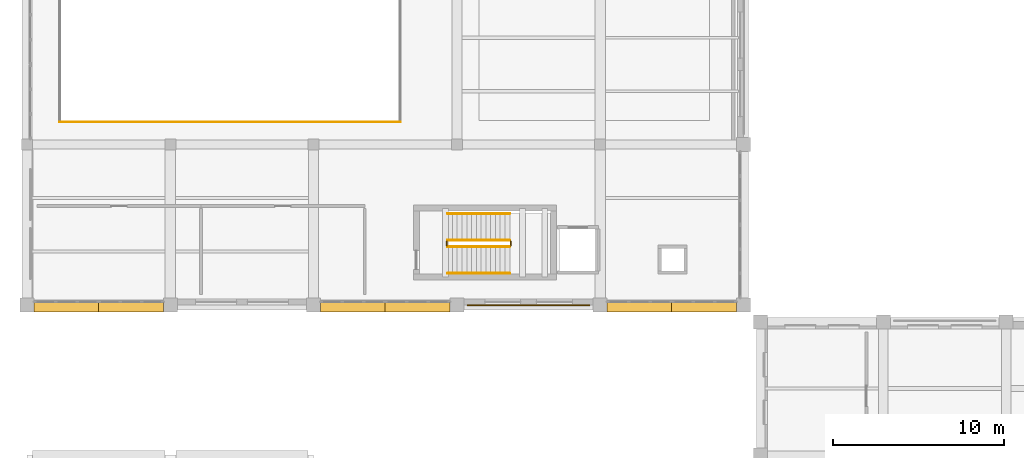
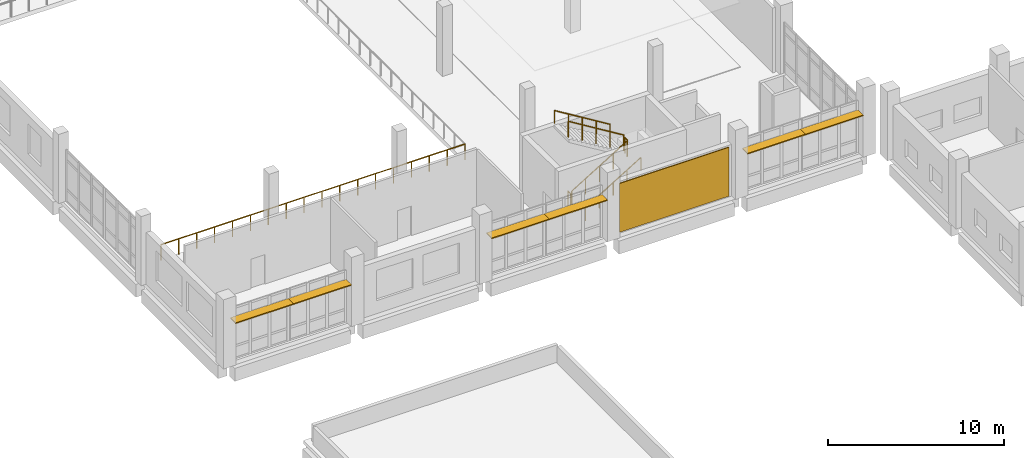
# One storey, part 69 of 73: 7 railings, 6 shading devices, 1 covering.
"""IFC4 building model written with IfcOpenShell, lengths in metres."""

import ifcopenshell
import ifcopenshell.guid

model = None  # the IFC model being written
_history = None  # IfcOwnerHistory: only IFC2X3 demands one
_inside = {}  # id of a spatial element -> (the spatial element, [elements in it])
_under = {}  # id of a project, library or spatial element -> (it, [spatial elements below it])
_declared = {}  # id of a project -> (the project, [libraries it declares])
_typed = {}  # id of a type object -> (the type object, [elements of that type])
_made_of = {}  # id of a material, layer set ... -> (it, [elements and type objects made of it])


def new_model(schema):
    """Start an empty IFC model of exactly this schema.

    Asked for "IFC4X3", IfcOpenShell would pick the latest addendum, in which some entities
    have other attributes; the version numbers below select the first issue.
    IFC2X3 requires an IfcOwnerHistory on every rooted entity: one is made here for all.
    """
    global model, _history
    if schema == "IFC4X3":
        model = ifcopenshell.file(schema_version=(4, 3, 0, 0))
    else:
        model = ifcopenshell.file(schema=schema)
    _inside.clear()
    _under.clear()
    _declared.clear()
    _typed.clear()
    _made_of.clear()
    _history = None
    if model.schema == "IFC2X3":
        org = make("IfcOrganization", Name="unknown")
        user = make(
            "IfcPersonAndOrganization",
            ThePerson=make("IfcPerson", FamilyName="unknown"),
            TheOrganization=org,
        )
        app = make(
            "IfcApplication",
            ApplicationDeveloper=org,
            Version="unknown",
            ApplicationFullName="unknown",
            ApplicationIdentifier="unknown",
        )
        _history = make(
            "IfcOwnerHistory",
            OwningUser=user,
            OwningApplication=app,
            ChangeAction="ADDED",
            CreationDate=0,
        )
    return model


def make(cls, **values):
    """One entity of the class cls with the attributes given. An attribute that is None is left unset."""
    return model.create_entity(
        cls, **{name: value for name, value in values.items() if value is not None}
    )


def rooted(cls, **values):
    """An entity with a GlobalId (a new one), such as an element, a storey or a relation."""
    return make(cls, GlobalId=ifcopenshell.guid.new(), OwnerHistory=_history, **values)


def si_unit(unit_type, name, prefix=None):
    """IfcSIUnit, for example si_unit("LENGTHUNIT", "METRE", prefix="MILLI")."""
    return make("IfcSIUnit", UnitType=unit_type, Prefix=prefix, Name=name)


def assignment(units):
    """IfcUnitAssignment: the units of a project."""
    return None if units is None else make("IfcUnitAssignment", Units=units)


def point(xyz):
    """IfcCartesianPoint."""
    return None if xyz is None else make("IfcCartesianPoint", Coordinates=xyz)


def direction(xyz):
    """IfcDirection."""
    return None if xyz is None else make("IfcDirection", DirectionRatios=xyz)


def frame(location, z_axis=None, x_axis=None):
    """IfcAxis2Placement3D, a coordinate frame: its origin and axes. An axis left out is left unset."""
    return make(
        "IfcAxis2Placement3D",
        Location=point(location),
        Axis=direction(z_axis),
        RefDirection=direction(x_axis),
    )


def frame_2d(location, x_axis=None):
    """IfcAxis2Placement2D, a coordinate frame in the plane: its origin and x axis."""
    return make(
        "IfcAxis2Placement2D", Location=point(location), RefDirection=direction(x_axis)
    )


def origin():
    """The frame at (0, 0, 0) with its axes left unset."""
    return frame((0.0, 0.0, 0.0))


def origin_2d():
    """The frame at (0, 0) in the plane with its x axis left unset."""
    return frame_2d((0.0, 0.0))


def place(relative_to, where):
    """IfcLocalPlacement: puts the frame where relative to a parent placement (None: the world)."""
    return make(
        "IfcLocalPlacement", PlacementRelTo=relative_to, RelativePlacement=where
    )


def context(
    kind, dimensions, precision=None, world=None, true_north=None, identifier=None
):
    """IfcGeometricRepresentationContext, for example the 3D "Model" context."""
    return make(
        "IfcGeometricRepresentationContext",
        ContextIdentifier=identifier,
        ContextType=kind,
        CoordinateSpaceDimension=dimensions,
        Precision=precision,
        WorldCoordinateSystem=world,
        TrueNorth=true_north,
    )


def subcontext(parent, identifier, kind, view, scale=None):
    """IfcGeometricRepresentationSubContext, for example "Body" below "Model"."""
    return make(
        "IfcGeometricRepresentationSubContext",
        ContextIdentifier=identifier,
        ContextType=kind,
        ParentContext=parent,
        TargetScale=scale,
        TargetView=view,
    )


def project(units=None, contexts=None):
    """IfcProject with its units and contexts."""
    return rooted(
        "IfcProject",
        Name="project",
        RepresentationContexts=contexts,
        UnitsInContext=assignment(units),
    )


def spatial(cls, under=None, at=None, **own):
    """A site, building, storey or space (cls), placed at a placement, below another one or the project."""
    s = rooted(cls, ObjectPlacement=at, **own)
    if under is not None:
        _under.setdefault(under.id(), (under, []))[1].append(s)
    return s


def profile(cls, at=None, kind="AREA", **sizes):
    """A parametric profile (cls). Its sizes go by their IFC names, for example OverallWidth=200.0."""
    return make(cls, ProfileType=kind, Position=at, **sizes)


def rectangle(**sizes):
    """IfcRectangleProfileDef."""
    return profile("IfcRectangleProfileDef", **sizes)


def circle(**sizes):
    """IfcCircleProfileDef."""
    return profile("IfcCircleProfileDef", **sizes)


def extrude(swept, where, along, depth):
    """IfcExtrudedAreaSolid: the profile swept, set in the frame where, extruded along a direction by depth."""
    return make(
        "IfcExtrudedAreaSolid",
        SweptArea=swept,
        Position=where,
        ExtrudedDirection=direction(along),
        Depth=depth,
    )


def shape(context_of_items, identifier, shape_type, items):
    """IfcShapeRepresentation: the items that make up one representation, for example the "Body"."""
    return make(
        "IfcShapeRepresentation",
        ContextOfItems=context_of_items,
        RepresentationIdentifier=identifier,
        RepresentationType=shape_type,
        Items=items,
    )


def material(Name=None, Category=None):
    """IfcMaterial."""
    return make("IfcMaterial", Name=Name, Category=Category)


def layer(
    of_material, thickness, ventilated=None, Name=None, Category=None, Priority=None
):
    """IfcMaterialLayer: one layer of a wall or slab, of a material (None: an air gap)."""
    return make(
        "IfcMaterialLayer",
        Material=of_material,
        LayerThickness=thickness,
        IsVentilated=ventilated,
        Name=Name,
        Category=Category,
        Priority=Priority,
    )


def layer_set(layers, Name=None):
    """IfcMaterialLayerSet."""
    return make("IfcMaterialLayerSet", MaterialLayers=layers, LayerSetName=Name)


def made_of(thing, what):
    """Note that an element or type object is made of a material, layer set ...; save() writes the relation."""
    if what is not None:
        _made_of.setdefault(what.id(), (what, []))[1].append(thing)
    return thing


def type_object(cls, material=None, **own):
    """A type object (cls), such as IfcWallType, which elements share."""
    return made_of(rooted(cls, **own), material)


def element(
    cls,
    number,
    at=None,
    inside=None,
    cuts=None,
    type_object=None,
    material=None,
    context=None,
    identifier="Body",
    shape_type=None,
    held_by="IfcProductDefinitionShape",
    body=None,
    shapes=None,
    **own,
):
    """One element of the class cls, such as IfcWall. Its Tag is "e" and its number.

    at: its placement. inside: the storey or other place that contains it. cuts: it is an
    opening in that element (IfcRelVoidsElement). A single representation is given by context,
    identifier, shape_type and body (its items); several are given by shapes. held_by: the class
    of the entity that holds the representations. save() writes the other relations.
    """
    e = rooted(cls, Tag="e%d" % number, ObjectPlacement=at, **own)
    if body is not None:
        shapes = [shape(context, identifier, shape_type, body)]
    if shapes is not None:
        e.Representation = make(held_by, Representations=shapes)
    if inside is not None:
        _inside.setdefault(inside.id(), (inside, []))[1].append(e)
    if cuts is not None:
        rooted(
            "IfcRelVoidsElement", RelatingBuildingElement=cuts, RelatedOpeningElement=e
        )
    if type_object is not None:
        _typed.setdefault(type_object.id(), (type_object, []))[1].append(e)
    return made_of(e, material)


def aggregate(whole, parts):
    """IfcRelAggregates: a whole, such as a stair, and the parts it consists of."""
    return rooted("IfcRelAggregates", RelatingObject=whole, RelatedObjects=parts)


def save(model, path):
    """Write the relations noted so far, then the file.

    IfcRelAggregates (storeys below a building ...), IfcRelContainedInSpatialStructure (elements
    in a storey), IfcRelDefinesByType, IfcRelAssociatesMaterial and IfcRelDeclares: one each for
    every whole, place, type object, material and project.
    """
    for whole, parts in _under.values():
        aggregate(whole, parts)
    for where, things in _inside.values():
        rooted(
            "IfcRelContainedInSpatialStructure",
            RelatedElements=things,
            RelatingStructure=where,
        )
    for kind, things in _typed.values():
        rooted("IfcRelDefinesByType", RelatedObjects=things, RelatingType=kind)
    for what, things in _made_of.values():
        rooted("IfcRelAssociatesMaterial", RelatedObjects=things, RelatingMaterial=what)
    for by, libraries in _declared.values():
        rooted("IfcRelDeclares", RelatingContext=by, RelatedDefinitions=libraries)
    model.write(path)


model = new_model("IFC4")

# Units and contexts
model_context = context("Model", 3, precision=1e-05, world=origin(), true_north=direction((0.0, 1.0)))
body_context = subcontext(model_context, "Body", "Model", "MODEL_VIEW")
ifc_project = project(units=[si_unit("LENGTHUNIT", "METRE"), si_unit("AREAUNIT", "SQUARE_METRE"), si_unit("VOLUMEUNIT", "CUBIC_METRE"), si_unit("PLANEANGLEUNIT", "RADIAN"), si_unit("MASSUNIT", "GRAM", prefix="KILO")], contexts=[model_context])

# Site, building, storey
site_placement = place(None, origin())
site = spatial("IfcSite", under=ifc_project, at=site_placement, CompositionType="ELEMENT")
building_placement = place(site_placement, origin())
building = spatial("IfcBuilding", under=site, at=building_placement, Name="Kelarvand Opera House", CompositionType="ELEMENT")
storey_placement = place(building_placement, frame((0.0, 0.0, 10.199951171875)))
storey = spatial("IfcBuildingStorey", under=building, at=storey_placement, Name="L02", CompositionType="ELEMENT", Elevation=10.199951171875)

# Covering
ifc_material_1 = material(Name="Azarshahr buff travertine stone panels", Category="masonry")
ifc_layer_1 = layer(ifc_material_1, 0.06005859375, Name="Azarshahr buff travertine stone panels", Category="masonry")
ifc_layer_set_1 = layer_set([ifc_layer_1], Name="Azarshahr buff travertine stone panels")
covering_type = type_object("IfcCoveringType", Name="Azarshahr Honed Travertine Rainscreen Cladding 60mm", PredefinedType="CLADDING", material=ifc_layer_set_1)
covering_placement = place(storey_placement, frame((38.39990234375, 87.174072265625, 0.10009765625), z_axis=(0.0, 0.0, 1.0), x_axis=(-1.0, 0.0, 0.0)))
element("IfcCovering", 1, at=covering_placement, inside=storey, type_object=covering_type, Name="V3 Travertine Facade Cladding 13", PredefinedType="CLADDING", context=body_context, shape_type="SweptSolid", body=[
    extrude(rectangle(XDim=7.179931640625, YDim=0.06005859375, at=origin_2d()), origin(), (0.0, 0.0, 1.0), 3.39208984375),
])

# Railings
ifc_material_2 = material(Name="Brushed bronze tubular rail")
railing_type_1 = type_object("IfcRailingType", Name="Brushed Bronze Stair Wall Handrail 900", PredefinedType="HANDRAIL", material=ifc_material_2)
railing_1_placement = place(storey_placement, frame((33.659912109375, 89.050048828125, 0.17138671875)))
element("IfcRailing", 2, at=railing_1_placement, inside=storey, type_object=railing_type_1, Name="L02 ST-05 stair handrail 1", PredefinedType="HANDRAIL", context=body_context, shape_type="SweptSolid", body=[
    extrude(circle(Radius=0.02392578125, at=origin_2d()), frame((0.0, 0.0, 0.8759765625), z_axis=(0.852840387347, 0.0, 0.522171689878), x_axis=(0.0, 1.0, 0.0)), (0.0, 0.0, 1.0), 4.268310546875),
    extrude(circle(Radius=0.02099609375, at=origin_2d()), origin(), (0.0, 0.0, 1.0), 0.851806640625),
    extrude(circle(Radius=0.02099609375, at=origin_2d()), frame((0.91015625, 0.0, 0.55712890625)), (0.0, 0.0, 1.0), 0.851806640625),
    extrude(circle(Radius=0.02099609375, at=origin_2d()), frame((1.820068359375, 0.0, 1.1142578125)), (0.0, 0.0, 1.0), 0.851806640625),
    extrude(circle(Radius=0.02099609375, at=origin_2d()), frame((2.72998046875, 0.0, 1.671630859375)), (0.0, 0.0, 1.0), 0.851806640625),
    extrude(circle(Radius=0.02099609375, at=origin_2d()), frame((3.64013671875, 0.0, 2.228759765625)), (0.0, 0.0, 1.0), 0.851806640625),
])
railing_2_placement = place(storey_placement, frame((37.300048828125, 92.550048828125, 2.571533203125)))
element("IfcRailing", 3, at=railing_2_placement, inside=storey, type_object=railing_type_1, Name="L02 ST-05 stair handrail 2", PredefinedType="HANDRAIL", context=body_context, shape_type="SweptSolid", body=[
    extrude(circle(Radius=0.02392578125, at=origin_2d()), frame((0.0, 0.0, 0.8759765625), z_axis=(-0.852865859571, 0.0, 0.52213008492), x_axis=(0.0, -1.0, 0.0)), (0.0, 0.0, 1.0), 4.26806640625),
    extrude(circle(Radius=0.02099609375, at=origin_2d()), origin(), (0.0, 0.0, 1.0), 0.851806640625),
    extrude(circle(Radius=0.02099609375, at=origin_2d()), frame((-0.91015625, 0.0, 0.55712890625)), (0.0, 0.0, 1.0), 0.851806640625),
    extrude(circle(Radius=0.02099609375, at=origin_2d()), frame((-1.820068359375, 0.0, 1.1142578125)), (0.0, 0.0, 1.0), 0.851806640625),
    extrude(circle(Radius=0.02099609375, at=origin_2d()), frame((-2.72998046875, 0.0, 1.67138671875)), (0.0, 0.0, 1.0), 0.851806640625),
    extrude(circle(Radius=0.02099609375, at=origin_2d()), frame((-3.64013671875, 0.0, 2.228515625)), (0.0, 0.0, 1.0), 0.851806640625),
])

# Shading devices
ifc_material_3 = material(Name="Anodised bronze acoustic louvre")
ifc_layer_2 = layer(ifc_material_3, 0.070068359375, Name="Anodised bronze acoustic louvre")
ifc_layer_set_2 = layer_set([ifc_layer_2], Name="Anodised bronze acoustic louvre")
shading_device_type = type_object("IfcShadingDeviceType", Name="Horizontal Acoustic and Solar Bronze Louvre 600x70", PredefinedType="USERDEFINED", material=ifc_layer_set_2)
shading_device_1_placement = place(storey_placement, frame((48.69189453125, 87.0849609375, 2.865234375), z_axis=(0.0, 0.0, 1.0), x_axis=(-1.0, 0.0, 0.0)))
element("IfcShadingDevice", 4, at=shading_device_1_placement, inside=storey, type_object=shading_device_type, Name="V3 Sun Hood Louvre 11", ObjectType="LOUVRE", PredefinedType="USERDEFINED", context=body_context, shape_type="SweptSolid", body=[
    extrude(rectangle(XDim=3.81591796875, YDim=0.60009765625, at=origin_2d()), origin(), (0.0, 0.0, 1.0), 0.070068359375),
])
shading_device_2_placement = place(storey_placement, frame((44.909912109375, 87.0849609375, 2.865234375), z_axis=(0.0, 0.0, 1.0), x_axis=(-1.0, 0.0, 0.0)))
element("IfcShadingDevice", 5, at=shading_device_2_placement, inside=storey, type_object=shading_device_type, Name="V3 Sun Hood Louvre 12", ObjectType="LOUVRE", PredefinedType="USERDEFINED", context=body_context, shape_type="SweptSolid", body=[
    extrude(rectangle(XDim=3.820068359375, YDim=0.60009765625, at=origin_2d()), origin(), (0.0, 0.0, 1.0), 0.070068359375),
])
shading_device_3_placement = place(storey_placement, frame((31.89208984375, 87.0849609375, 2.865234375), z_axis=(0.0, 0.0, 1.0), x_axis=(-1.0, 0.0, 0.0)))
element("IfcShadingDevice", 6, at=shading_device_3_placement, inside=storey, type_object=shading_device_type, Name="V3 Sun Hood Louvre 13", ObjectType="LOUVRE", PredefinedType="USERDEFINED", context=body_context, shape_type="SweptSolid", body=[
    extrude(rectangle(XDim=3.81591796875, YDim=0.60009765625, at=origin_2d()), origin(), (0.0, 0.0, 1.0), 0.070068359375),
])
shading_device_4_placement = place(storey_placement, frame((28.110107421875, 87.0849609375, 2.865234375), z_axis=(0.0, 0.0, 1.0), x_axis=(-1.0, 0.0, 0.0)))
element("IfcShadingDevice", 7, at=shading_device_4_placement, inside=storey, type_object=shading_device_type, Name="V3 Sun Hood Louvre 14", ObjectType="LOUVRE", PredefinedType="USERDEFINED", context=body_context, shape_type="SweptSolid", body=[
    extrude(rectangle(XDim=3.820068359375, YDim=0.60009765625, at=origin_2d()), origin(), (0.0, 0.0, 1.0), 0.070068359375),
])
shading_device_5_placement = place(storey_placement, frame((15.092041015625, 87.0849609375, 2.865234375), z_axis=(0.0, 0.0, 1.0), x_axis=(-1.0, 0.0, 0.0)))
element("IfcShadingDevice", 8, at=shading_device_5_placement, inside=storey, type_object=shading_device_type, Name="V3 Sun Hood Louvre 15", ObjectType="LOUVRE", PredefinedType="USERDEFINED", context=body_context, shape_type="SweptSolid", body=[
    extrude(rectangle(XDim=3.81591796875, YDim=0.60009765625, at=origin_2d()), origin(), (0.0, 0.0, 1.0), 0.070068359375),
])
shading_device_6_placement = place(storey_placement, frame((11.31005859375, 87.0849609375, 2.865234375), z_axis=(0.0, 0.0, 1.0), x_axis=(-1.0, 0.0, 0.0)))
element("IfcShadingDevice", 9, at=shading_device_6_placement, inside=storey, type_object=shading_device_type, Name="V3 Sun Hood Louvre 16", ObjectType="LOUVRE", PredefinedType="USERDEFINED", context=body_context, shape_type="SweptSolid", body=[
    extrude(rectangle(XDim=3.820068359375, YDim=0.60009765625, at=origin_2d()), origin(), (0.0, 0.0, 1.0), 0.070068359375),
])

# Railings
ifc_material_4 = material(Name="Powder-coated Steel S355", Category="steel")
railing_type_2 = type_object("IfcRailingType", Name="Painted Steel Stair and Void Guardrail 1100", PredefinedType="GUARDRAIL", material=ifc_material_4)
railing_3_placement = place(storey_placement, frame((33.659912109375, 90.610107421875, 0.17138671875)))
element("IfcRailing", 10, at=railing_3_placement, inside=storey, type_object=railing_type_2, Name="L02 ST-05 stair guard 1", PredefinedType="GUARDRAIL", context=body_context, shape_type="SweptSolid", body=[
    extrude(circle(Radius=0.02392578125, at=origin_2d()), frame((0.0, 0.0, 1.076171875), z_axis=(0.852840387347, 0.0, 0.522171689878), x_axis=(0.0, 1.0, 0.0)), (0.0, 0.0, 1.0), 4.268310546875),
    extrude(circle(Radius=0.02099609375, at=origin_2d()), origin(), (0.0, 0.0, 1.0), 1.052001953125),
    extrude(circle(Radius=0.02099609375, at=origin_2d()), frame((0.91015625, 0.0, 0.55712890625)), (0.0, 0.0, 1.0), 1.052001953125),
    extrude(circle(Radius=0.02099609375, at=origin_2d()), frame((1.820068359375, 0.0, 1.1142578125)), (0.0, 0.0, 1.0), 1.052001953125),
    extrude(circle(Radius=0.02099609375, at=origin_2d()), frame((2.72998046875, 0.0, 1.671630859375)), (0.0, 0.0, 1.0), 1.052001953125),
    extrude(circle(Radius=0.02099609375, at=origin_2d()), frame((3.64013671875, 0.0, 2.228759765625)), (0.0, 0.0, 1.0), 1.052001953125),
])
railing_4_placement = place(storey_placement, frame((37.35009765625, 90.659912109375, 2.400146484375)))
element("IfcRailing", 11, at=railing_4_placement, inside=storey, type_object=railing_type_2, Name="L02 ST-05 stair guard 2", PredefinedType="GUARDRAIL", context=body_context, shape_type="SweptSolid", body=[
    extrude(circle(Radius=0.02392578125, at=origin_2d()), frame((0.0, 0.0, 1.076171875), z_axis=(0.0, 1.0, 0.0), x_axis=(-1.0, 0.0, 0.0)), (0.0, 0.0, 1.0), 0.280029296875),
    extrude(circle(Radius=0.02099609375, at=origin_2d()), origin(), (0.0, 0.0, 1.0), 1.052001953125),
    extrude(circle(Radius=0.02099609375, at=origin_2d()), frame((0.0, 0.280029296875, 0.0)), (0.0, 0.0, 1.0), 1.052001953125),
])
railing_5_placement = place(storey_placement, frame((37.300048828125, 90.989990234375, 2.571533203125)))
element("IfcRailing", 12, at=railing_5_placement, inside=storey, type_object=railing_type_2, Name="L02 ST-05 stair guard 3", PredefinedType="GUARDRAIL", context=body_context, shape_type="SweptSolid", body=[
    extrude(circle(Radius=0.02392578125, at=origin_2d()), frame((0.0, 0.0, 1.076171875), z_axis=(-0.852865859571, 0.0, 0.52213008492), x_axis=(0.0, -1.0, 0.0)), (0.0, 0.0, 1.0), 4.26806640625),
    extrude(circle(Radius=0.02099609375, at=origin_2d()), origin(), (0.0, 0.0, 1.0), 1.052001953125),
    extrude(circle(Radius=0.02099609375, at=origin_2d()), frame((-0.91015625, 0.0, 0.55712890625)), (0.0, 0.0, 1.0), 1.052001953125),
    extrude(circle(Radius=0.02099609375, at=origin_2d()), frame((-1.820068359375, 0.0, 1.1142578125)), (0.0, 0.0, 1.0), 1.052001953125),
    extrude(circle(Radius=0.02099609375, at=origin_2d()), frame((-2.72998046875, 0.0, 1.67138671875)), (0.0, 0.0, 1.0), 1.052001953125),
    extrude(circle(Radius=0.02099609375, at=origin_2d()), frame((-3.64013671875, 0.0, 2.228515625)), (0.0, 0.0, 1.0), 1.052001953125),
])
railing_6_placement = place(storey_placement, frame((33.610107421875, 90.659912109375, 0.0)))
element("IfcRailing", 13, at=railing_6_placement, inside=storey, type_object=railing_type_2, Name="L02 ST-05 stair guard 4", PredefinedType="GUARDRAIL", context=body_context, shape_type="SweptSolid", body=[
    extrude(circle(Radius=0.02392578125, at=origin_2d()), frame((0.0, 0.0, 1.076171875), z_axis=(0.0, 1.0, 0.0), x_axis=(-1.0, 0.0, 0.0)), (0.0, 0.0, 1.0), 0.280029296875),
    extrude(circle(Radius=0.02099609375, at=origin_2d()), origin(), (0.0, 0.0, 1.0), 1.052001953125),
    extrude(circle(Radius=0.02099609375, at=origin_2d()), frame((0.0, 0.280029296875, 0.0)), (0.0, 0.0, 1.0), 1.052001953125),
])
railing_7_placement = place(storey_placement, frame((30.8798828125, 97.919921875, 0.0)))
element("IfcRailing", 14, at=railing_7_placement, inside=storey, type_object=railing_type_2, Name="V3 L02 Guardrail 71", PredefinedType="GUARDRAIL", context=body_context, shape_type="SweptSolid", body=[
    extrude(circle(Radius=0.02392578125, at=origin_2d()), frame((0.0, 0.0, 1.076171875), z_axis=(-1.0, 0.0, 0.0), x_axis=(0.0, -1.0, 0.0)), (0.0, 0.0, 1.0), 19.9599609375),
    extrude(circle(Radius=0.02099609375, at=origin_2d()), origin(), (0.0, 0.0, 1.0), 1.052001953125),
    extrude(circle(Radius=0.02099609375, at=origin_2d()), frame((-1.174072265625, 0.0, 0.0)), (0.0, 0.0, 1.0), 1.052001953125),
    extrude(circle(Radius=0.02099609375, at=origin_2d()), frame((-2.34814453125, 0.0, 0.0)), (0.0, 0.0, 1.0), 1.052001953125),
    extrude(circle(Radius=0.02099609375, at=origin_2d()), frame((-3.5224609375, 0.0, 0.0)), (0.0, 0.0, 1.0), 1.052001953125),
    extrude(circle(Radius=0.02099609375, at=origin_2d()), frame((-4.696533203125, 0.0, 0.0)), (0.0, 0.0, 1.0), 1.052001953125),
    extrude(circle(Radius=0.02099609375, at=origin_2d()), frame((-5.87060546875, 0.0, 0.0)), (0.0, 0.0, 1.0), 1.052001953125),
    extrude(circle(Radius=0.02099609375, at=origin_2d()), frame((-7.044677734375, 0.0, 0.0)), (0.0, 0.0, 1.0), 1.052001953125),
    extrude(circle(Radius=0.02099609375, at=origin_2d()), frame((-8.21875, 0.0, 0.0)), (0.0, 0.0, 1.0), 1.052001953125),
    extrude(circle(Radius=0.02099609375, at=origin_2d()), frame((-9.392822265625, 0.0, 0.0)), (0.0, 0.0, 1.0), 1.052001953125),
    extrude(circle(Radius=0.02099609375, at=origin_2d()), frame((-10.567138671875, 0.0, 0.0)), (0.0, 0.0, 1.0), 1.052001953125),
    extrude(circle(Radius=0.02099609375, at=origin_2d()), frame((-11.7412109375, 0.0, 0.0)), (0.0, 0.0, 1.0), 1.052001953125),
    extrude(circle(Radius=0.02099609375, at=origin_2d()), frame((-12.915283203125, 0.0, 0.0)), (0.0, 0.0, 1.0), 1.052001953125),
    extrude(circle(Radius=0.02099609375, at=origin_2d()), frame((-14.08935546875, 0.0, 0.0)), (0.0, 0.0, 1.0), 1.052001953125),
    extrude(circle(Radius=0.02099609375, at=origin_2d()), frame((-15.263427734375, 0.0, 0.0)), (0.0, 0.0, 1.0), 1.052001953125),
    extrude(circle(Radius=0.02099609375, at=origin_2d()), frame((-16.4375, 0.0, 0.0)), (0.0, 0.0, 1.0), 1.052001953125),
    extrude(circle(Radius=0.02099609375, at=origin_2d()), frame((-17.61181640625, 0.0, 0.0)), (0.0, 0.0, 1.0), 1.052001953125),
    extrude(circle(Radius=0.02099609375, at=origin_2d()), frame((-18.785888671875, 0.0, 0.0)), (0.0, 0.0, 1.0), 1.052001953125),
    extrude(circle(Radius=0.02099609375, at=origin_2d()), frame((-19.9599609375, 0.0, 0.0)), (0.0, 0.0, 1.0), 1.052001953125),
])

save(model, "model.ifc")
